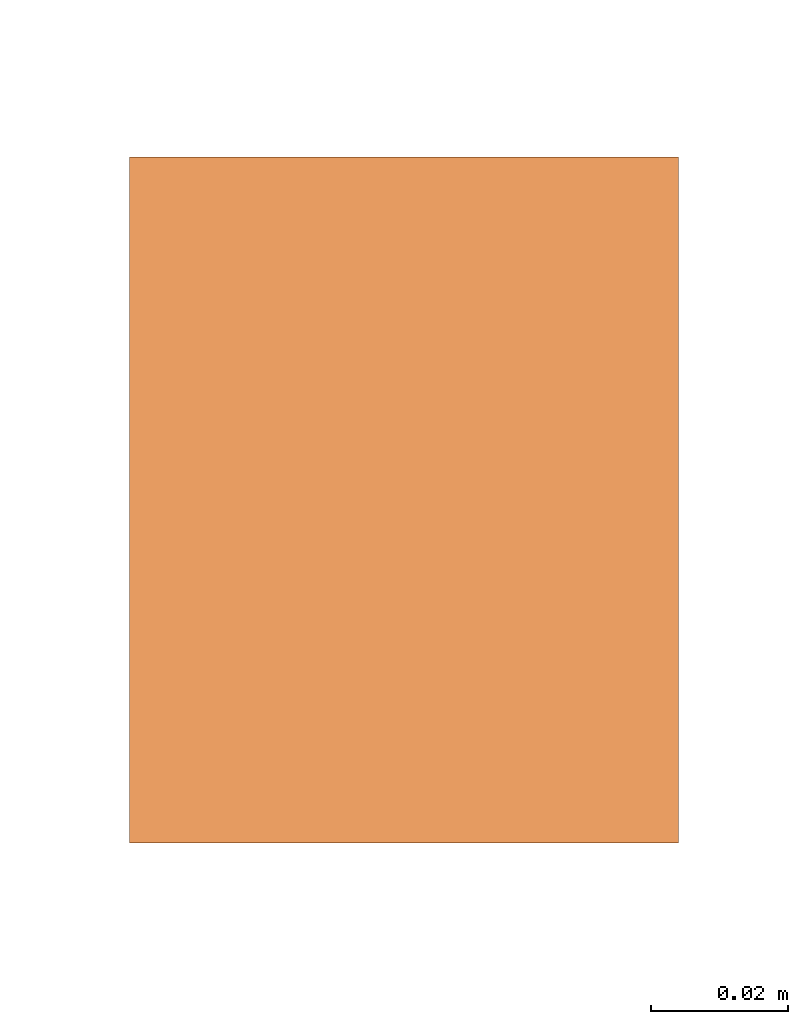
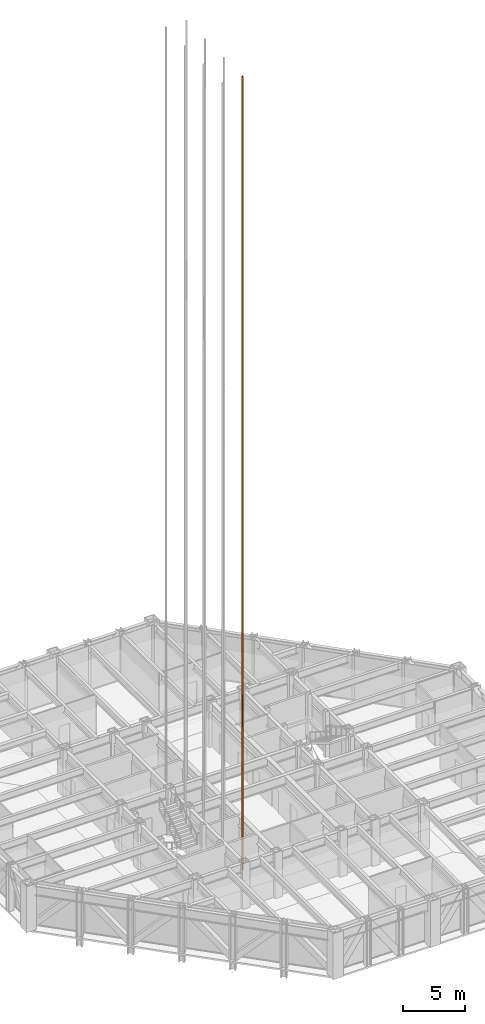
# One storey, part 20 of 26: 1 proxy.
"""IFC4 building model written with IfcOpenShell, lengths in metres."""

from ifc_helpers import new_model, si_unit, direction, frame, origin, origin_2d, place, context, subcontext, project, spatial, rectangle, extrude, material, type_object, element, save


model = new_model("IFC4")

# Units and contexts
model_context = context("Model", 3, precision=1e-05, world=origin(), true_north=direction((0.0, 1.0)))
body_context = subcontext(model_context, "Body", "Model", "MODEL_VIEW")
ifc_project = project(units=[si_unit("LENGTHUNIT", "METRE"), si_unit("AREAUNIT", "SQUARE_METRE"), si_unit("VOLUMEUNIT", "CUBIC_METRE"), si_unit("PLANEANGLEUNIT", "RADIAN"), si_unit("MASSUNIT", "GRAM", prefix="KILO")], contexts=[model_context])

# Site, building, storey
site_placement = place(None, origin())
site = spatial("IfcSite", under=ifc_project, at=site_placement, CompositionType="ELEMENT")
building_placement = place(site_placement, origin())
building = spatial("IfcBuilding", under=site, at=building_placement, Name="Chuquiago Exchange Tower", CompositionType="ELEMENT")
storey_placement = place(building_placement, frame((0.0, 0.0, 102.300048828125)))
storey = spatial("IfcBuildingStorey", under=building, at=storey_placement, Name="L21", CompositionType="ELEMENT", Elevation=102.300048828125)

# Proxy
ifc_material = material(Name="Galvanised steel guide rail", Category="steel")
building_element_proxy_type = type_object("IfcBuildingElementProxyType", Name="LR lift guide rail", PredefinedType="NOTDEFINED", material=ifc_material)
proxy_placement = place(storey_placement, frame((18.93505859375, 16.5, 0.0), z_axis=(0.0, 0.0, 1.0), x_axis=(1.0, 0.0, 0.0)))
element("IfcBuildingElementProxy", 1, at=proxy_placement, inside=storey, type_object=building_element_proxy_type, Name="Lift LB1 guide rail E", PredefinedType="NOTDEFINED", context=body_context, shape_type="SweptSolid", body=[
    extrude(rectangle(XDim=0.080078125, YDim=0.10009765625, at=origin_2d()), origin(), (0.0, 0.0, 1.0), 77.699951171875),
])

save(model, "model.ifc")
